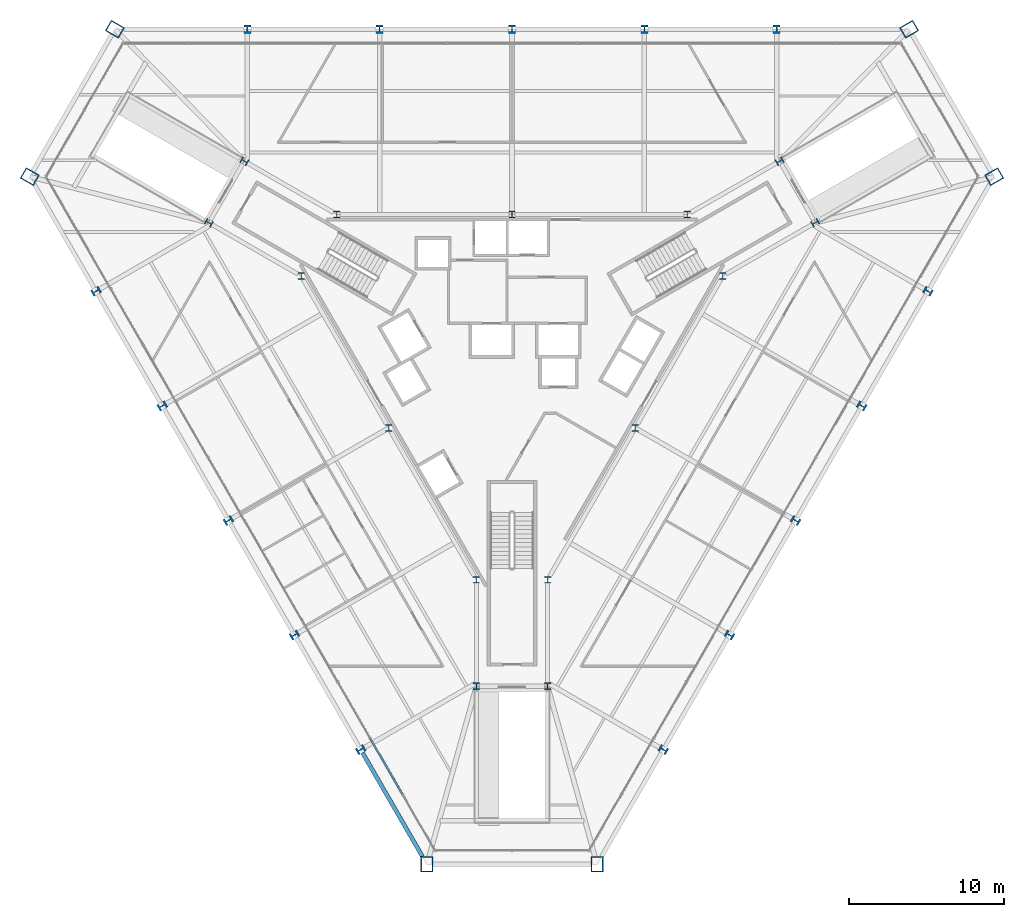
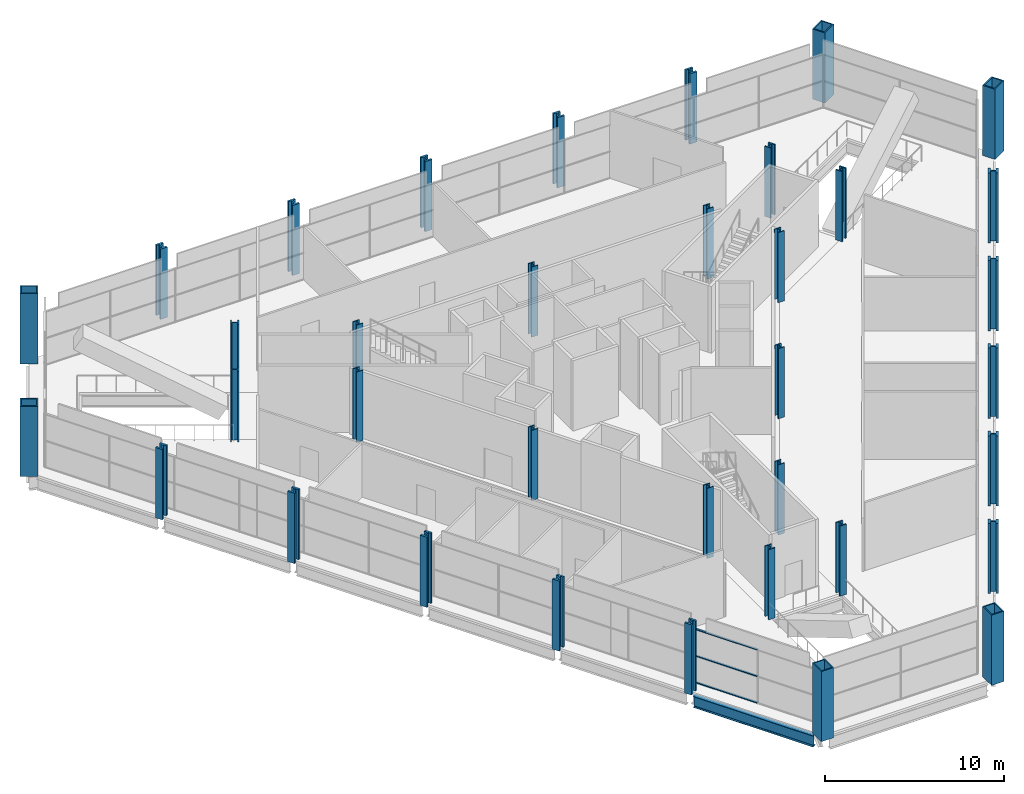
# One storey, part 1 of 18: 36 columns, 3 members, 1 beam, 1 element without a shape of its own.
"""IFC4 building model written with IfcOpenShell, lengths in metres."""

from ifc_helpers import new_model, si_unit, direction, frame, origin, origin_2d, place, context, subcontext, project, spatial, rectangle, hollow_rectangle, i_section, extrude, material, layer, layer_set, material_profile, profile_set, type_object, element, aggregate, save


model = new_model("IFC4")

# Units and contexts
model_context = context("Model", 3, precision=1e-05, world=origin(), true_north=direction((0.0, 1.0)))
body_context = subcontext(model_context, "Body", "Model", "MODEL_VIEW")
ifc_project = project(units=[si_unit("LENGTHUNIT", "METRE"), si_unit("AREAUNIT", "SQUARE_METRE"), si_unit("VOLUMEUNIT", "CUBIC_METRE"), si_unit("PLANEANGLEUNIT", "RADIAN"), si_unit("MASSUNIT", "GRAM", prefix="KILO")], contexts=[model_context])

# Site, building, storey
site_placement = place(None, origin())
site = spatial("IfcSite", under=ifc_project, at=site_placement, CompositionType="ELEMENT")
building_placement = place(site_placement, origin())
building = spatial("IfcBuilding", under=site, at=building_placement, Name="Verrane Prism Tower", CompositionType="ELEMENT")
storey_placement = place(building_placement, frame((0.0, 0.0, 22.39990234375)))
storey = spatial("IfcBuildingStorey", under=building, at=storey_placement, Name="L03", CompositionType="ELEMENT", Elevation=22.39990234375)

# Columns
ifc_material_1 = material(Name="Steel A992", Category="steel")
ifc_material_profile_1 = material_profile(ifc_material_1, i_section(OverallWidth=0.424072265625, OverallDepth=0.47509765625, WebThickness=0.0478515625, FlangeThickness=0.0771484375, FilletRadius=0.014892578125, at=origin_2d()), Name="W14x426")
ifc_profile_set_1 = profile_set([ifc_material_profile_1], Name="Steel A992")
column_type_1 = type_object("IfcColumnType", Name="Core corner column W14x426", PredefinedType="COLUMN", material=ifc_profile_set_1)
for number, where, z_axis, x_axis, name in (
    (1, (19.60009765625, 8.659912109375, 0.0), (0.0, 0.0, 1.0), (0.5, -0.866025403784, 0.0), "Core corner column CK-NEm L03"),
    (2, (17.300048828125, 12.639892578125, 0.0), (0.0, 0.0, 1.0), (0.5, -0.866025403784, 0.0), "Core corner column CK-NEp L03"),
    (3, (-17.300048828125, 12.639892578125, 0.0), (0.0, 0.0, 1.0), (0.5, 0.866025403784, 0.0), "Core corner column CK-NWm L03"),
    (4, (-19.60009765625, 8.659912109375, 0.0), (0.0, 0.0, 1.0), (0.5, 0.866025403784, 0.0), "Core corner column CK-NWp L03"),
    (5, (-2.300048828125, -21.300048828125, 0.0), (0.0, 0.0, 1.0), (-1.0, 0.0, 0.0), "Core corner column CK-Sm L03"),
    (6, (2.300048828125, -21.300048828125, 0.0), (0.0, 0.0, 1.0), (-1.0, 0.0, 0.0), "Core corner column CK-Sp L03"),
):
    element("IfcColumn", number, at=place(storey_placement, frame(where, z_axis=z_axis, x_axis=x_axis)), inside=storey, type_object=column_type_1, Name=name, PredefinedType="COLUMN", context=body_context, shape_type="SweptSolid", body=[
        extrude(i_section(OverallWidth=0.424072265625, OverallDepth=0.47509765625, WebThickness=0.0478515625, FlangeThickness=0.0771484375, FilletRadius=0.014892578125, at=origin_2d()), origin(), (0.0, 0.0, 1.0), 4.800048828125),
    ])
ifc_material_2 = material(Name="Steel A992", Category="steel")
ifc_material_profile_2 = material_profile(ifc_material_2, i_section(OverallWidth=0.411376953125, OverallDepth=0.434326171875, WebThickness=0.035888671875, FlangeThickness=0.057373046875, FilletRadius=0.01513671875, at=origin_2d()), Name="W14x311")
ifc_profile_set_2 = profile_set([ifc_material_profile_2], Name="Steel A992")
column_type_2 = type_object("IfcColumnType", Name="Core side column W14x311", PredefinedType="COLUMN", material=ifc_profile_set_2)
for number, where, z_axis, x_axis, name in (
    (7, (13.6298828125, 5.219970703125, 0.0), (0.0, 0.0, 1.0), (1.0, 0.0, 0.0), "Core side column CC-NEm L03"),
    (8, (11.330078125, 9.199951171875, 0.0), (0.0, 0.0, 1.0), (1.0, 0.0, 0.0), "Core side column CC-NEp L03"),
    (9, (0.0, 9.199951171875, 0.0), (0.0, 0.0, 1.0), (1.0, 0.0, 0.0), "Core side column CC-N0 L03"),
    (10, (-11.330078125, 9.199951171875, 0.0), (0.0, 0.0, 1.0), (1.0, 0.0, 0.0), "Core side column CC-NWm L03"),
    (11, (-13.6298828125, 5.219970703125, 0.0), (0.0, 0.0, 1.0), (1.0, 0.0, 0.0), "Core side column CC-NWp L03"),
    (12, (-7.969970703125, -4.60009765625, 0.0), (0.0, 0.0, 1.0), (1.0, 0.0, 0.0), "Core side column CC-SW0 L03"),
    (13, (-2.300048828125, -14.419921875, 0.0), (0.0, 0.0, 1.0), (1.0, 0.0, 0.0), "Core side column CC-Sm L03"),
    (14, (2.300048828125, -14.419921875, 0.0), (0.0, 0.0, 1.0), (1.0, 0.0, 0.0), "Core side column CC-Sp L03"),
    (15, (7.969970703125, -4.60009765625, 0.0), (0.0, 0.0, 1.0), (1.0, 0.0, 0.0), "Core side column CC-SE0 L03"),
):
    element("IfcColumn", number, at=place(storey_placement, frame(where, z_axis=z_axis, x_axis=x_axis)), inside=storey, type_object=column_type_2, Name=name, PredefinedType="COLUMN", context=body_context, shape_type="SweptSolid", body=[
        extrude(i_section(OverallWidth=0.411376953125, OverallDepth=0.434326171875, WebThickness=0.035888671875, FlangeThickness=0.057373046875, FilletRadius=0.01513671875, at=origin_2d()), origin(), (0.0, 0.0, 1.0), 4.800048828125),
    ])
ifc_material_3 = material(Name="Steel A572 Grade 50", Category="steel")
ifc_material_profile_3 = material_profile(ifc_material_3, hollow_rectangle(XDim=0.800048828125, YDim=1.0, WallThickness=0.074951171875, at=origin_2d()), Name="BOX 1000x800x75")
ifc_profile_set_3 = profile_set([ifc_material_profile_3], Name="Steel A572 Grade 50")
column_type_3 = type_object("IfcColumnType", Name="Megacolumn BOX 1000x800x75", PredefinedType="COLUMN", material=ifc_profile_set_3)
for number, where, z_axis, x_axis, name in (
    (16, (25.669921875, 21.169921875, 0.0), (0.0, 0.0, 1.0), (0.5, -0.866025403784, 0.0), "Megacolumn MC-NE.b L03"),
    (17, (-25.669921875, 21.169921875, 0.0), (0.0, 0.0, 1.0), (0.5, 0.866025403784, 0.0), "Megacolumn MC-NW.a L03"),
    (18, (-31.169921875, 11.639892578125, 0.0), (0.0, 0.0, 1.0), (0.5, 0.866025403784, 0.0), "Megacolumn MC-NW.b L03"),
    (19, (-5.5, -32.81005859375, 0.0), (0.0, 0.0, 1.0), (-1.0, 0.0, 0.0), "Megacolumn MC-S.a L03"),
    (20, (5.5, -32.81005859375, 0.0), (0.0, 0.0, 1.0), (-1.0, 0.0, 0.0), "Megacolumn MC-S.b L03"),
    (21, (31.169921875, 11.639892578125, 0.0), (0.0, 0.0, 1.0), (0.5, -0.866025403784, 0.0), "Megacolumn MC-NE.a L03"),
):
    element("IfcColumn", number, at=place(storey_placement, frame(where, z_axis=z_axis, x_axis=x_axis)), inside=storey, type_object=column_type_3, Name=name, PredefinedType="COLUMN", context=body_context, shape_type="SweptSolid", body=[
        extrude(hollow_rectangle(XDim=0.800048828125, YDim=1.0, WallThickness=0.074951171875, at=origin_2d()), origin(), (0.0, 0.0, 1.0), 4.800048828125),
    ])
ifc_material_4 = material(Name="Steel A992", Category="steel")
ifc_material_profile_4 = material_profile(ifc_material_4, i_section(OverallWidth=0.45458984375, OverallDepth=0.56884765625, WebThickness=0.077880859375, FlangeThickness=0.124755859375, FilletRadius=0.01513671875, at=origin_2d()), Name="W14x730")
ifc_profile_set_4 = profile_set([ifc_material_profile_4], Name="Steel A992")
column_type_4 = type_object("IfcColumnType", Name="Perimeter column W14x730", PredefinedType="COLUMN", material=ifc_profile_set_4)
for number, where, z_axis, x_axis, name in (
    (22, (17.110107421875, 21.169921875, 0.0), (0.0, 0.0, 1.0), (1.0, 0.0, 0.0), "Perimeter column PC-N1 L03"),
    (23, (8.56005859375, 21.169921875, 0.0), (0.0, 0.0, 1.0), (1.0, 0.0, 0.0), "Perimeter column PC-N2 L03"),
    (24, (0.0, 21.169921875, 0.0), (0.0, 0.0, 1.0), (1.0, 0.0, 0.0), "Perimeter column PC-N3 L03"),
    (25, (-8.56005859375, 21.169921875, 0.0), (0.0, 0.0, 1.0), (1.0, 0.0, 0.0), "Perimeter column PC-N4 L03"),
    (26, (-17.110107421875, 21.169921875, 0.0), (0.0, 0.0, 1.0), (1.0, 0.0, 0.0), "Perimeter column PC-N5 L03"),
    (27, (-26.889892578125, 4.22998046875, 0.0), (0.0, 0.0, 1.0), (-0.5, 0.866025403784, 0.0), "Perimeter column PC-SW1 L03"),
    (28, (-22.610107421875, -3.179931640625, 0.0), (0.0, 0.0, 1.0), (-0.5, 0.866025403784, 0.0), "Perimeter column PC-SW2 L03"),
    (29, (-18.330078125, -10.590087890625, 0.0), (0.0, 0.0, 1.0), (-0.5, 0.866025403784, 0.0), "Perimeter column PC-SW3 L03"),
    (30, (-14.06005859375, -17.989990234375, 0.0), (0.0, 0.0, 1.0), (-0.5, 0.866025403784, 0.0), "Perimeter column PC-SW4 L03"),
    (31, (-9.780029296875, -25.39990234375, 0.0), (0.0, 0.0, 1.0), (-0.5, 0.866025403784, 0.0), "Perimeter column PC-SW5 L03"),
    (32, (9.780029296875, -25.39990234375, 0.0), (0.0, 0.0, 1.0), (-0.5, -0.866025403784, 0.0), "Perimeter column PC-SE1 L03"),
    (33, (14.06005859375, -17.989990234375, 0.0), (0.0, 0.0, 1.0), (-0.5, -0.866025403784, 0.0), "Perimeter column PC-SE2 L03"),
    (34, (18.330078125, -10.590087890625, 0.0), (0.0, 0.0, 1.0), (-0.5, -0.866025403784, 0.0), "Perimeter column PC-SE3 L03"),
    (35, (22.610107421875, -3.179931640625, 0.0), (0.0, 0.0, 1.0), (-0.5, -0.866025403784, 0.0), "Perimeter column PC-SE4 L03"),
    (36, (26.889892578125, 4.22998046875, 0.0), (0.0, 0.0, 1.0), (-0.5, -0.866025403784, 0.0), "Perimeter column PC-SE5 L03"),
):
    element("IfcColumn", number, at=place(storey_placement, frame(where, z_axis=z_axis, x_axis=x_axis)), inside=storey, type_object=column_type_4, Name=name, PredefinedType="COLUMN", context=body_context, shape_type="SweptSolid", body=[
        extrude(i_section(OverallWidth=0.45458984375, OverallDepth=0.56884765625, WebThickness=0.077880859375, FlangeThickness=0.124755859375, FilletRadius=0.01513671875, at=origin_2d()), origin(), (0.0, 0.0, 1.0), 4.800048828125),
    ])

# Curtain wall, members
ifc_material_5 = material(Name="Aluminium and glass curtain wall", Category="aluminium")
ifc_layer = layer(ifc_material_5, 0.199951171875)
ifc_layer_set = layer_set([ifc_layer], Name="CWB-1 retail curtain wall")
curtain_wall_type = type_object("IfcCurtainWallType", Name="CWB-1 retail curtain wall", PredefinedType="NOTDEFINED", material=ifc_layer_set)
curtain_wall_placement = place(storey_placement, origin())
curtain_wall = element("IfcCurtainWall", 37, at=curtain_wall_placement, inside=storey, type_object=curtain_wall_type, Name="Retail curtain wall L03 4", PredefinedType="NOTDEFINED")
ifc_material_6 = material(Name="Aluminium", Category="aluminium")
ifc_material_profile_5 = material_profile(ifc_material_6, rectangle(XDim=0.1201171875, YDim=0.06005859375, at=origin_2d()), Name="CWB-T 60x120 transom")
ifc_profile_set_5 = profile_set([ifc_material_profile_5], Name="Aluminium")
member_type = type_object("IfcMemberType", Name="CWB-T 60x120 transom", PredefinedType="USERDEFINED", material=ifc_profile_set_5)
member_1_placement = place(storey_placement, frame((-9.15673828125, -24.68017578125, 0.030029296875), z_axis=(0.499996977546, -0.866027148792, 0.0), x_axis=(0.866027148792, 0.499996977546, 0.0)))
member_1 = element("IfcMember", 38, at=member_1_placement, type_object=member_type, Name="CWB34 transom 11.1", ObjectType="TRANSOM", PredefinedType="USERDEFINED", context=body_context, shape_type="SweptSolid", body=[
    extrude(rectangle(XDim=0.1201171875, YDim=0.06005859375, at=origin_2d()), origin(), (0.0, 0.0, 1.0), 4.13134765625),
])
member_2_placement = place(storey_placement, frame((-9.15673828125, -24.68017578125, 1.84521484375), z_axis=(0.499996977546, -0.866027148792, 0.0), x_axis=(0.866027148792, 0.499996977546, 0.0)))
member_2 = element("IfcMember", 39, at=member_2_placement, type_object=member_type, Name="CWB34 transom 11.2", ObjectType="TRANSOM", PredefinedType="USERDEFINED", context=body_context, shape_type="SweptSolid", body=[
    extrude(rectangle(XDim=0.1201171875, YDim=0.06005859375, at=origin_2d()), origin(), (0.0, 0.0, 1.0), 4.13134765625),
])
member_3_placement = place(storey_placement, frame((-9.15673828125, -24.68017578125, 3.66015625), z_axis=(0.499996977546, -0.866027148792, 0.0), x_axis=(0.866027148792, 0.499996977546, 0.0)))
member_3 = element("IfcMember", 40, at=member_3_placement, type_object=member_type, Name="CWB34 transom 11.3", ObjectType="TRANSOM", PredefinedType="USERDEFINED", context=body_context, shape_type="SweptSolid", body=[
    extrude(rectangle(XDim=0.1201171875, YDim=0.06005859375, at=origin_2d()), origin(), (0.0, 0.0, 1.0), 4.13134765625),
])
aggregate(curtain_wall, [member_1, member_2, member_3])

# Beam
ifc_material_7 = material(Name="Steel A992", Category="steel")
ifc_material_profile_6 = material_profile(ifc_material_7, i_section(OverallWidth=0.2666015625, OverallDepth=0.76708984375, WebThickness=0.014892578125, FlangeThickness=0.023681640625, FilletRadius=0.0166015625, at=origin_2d()), Name="W30x124")
ifc_profile_set_6 = profile_set([ifc_material_profile_6], Name="Steel A992")
beam_type = type_object("IfcBeamType", Name="Spandrel beam W30x124", PredefinedType="SPANDREL", material=ifc_profile_set_6)
beam_placement = place(storey_placement, frame((-9.666259765625, -25.596923828125, -0.54345703125), z_axis=(0.500155868966, -0.865935394091, 0.0), x_axis=(0.865935394091, 0.500155868966, 0.0)))
element("IfcBeam", 41, at=beam_placement, inside=storey, type_object=beam_type, Name="Spandrel beam L03", PredefinedType="SPANDREL", context=body_context, shape_type="SweptSolid", body=[
    extrude(i_section(OverallWidth=0.2666015625, OverallDepth=0.76708984375, WebThickness=0.014892578125, FlangeThickness=0.023681640625, FilletRadius=0.0166015625, at=origin_2d()), origin(), (0.0, 0.0, 1.0), 7.75244140625),
])

save(model, "model.ifc")
